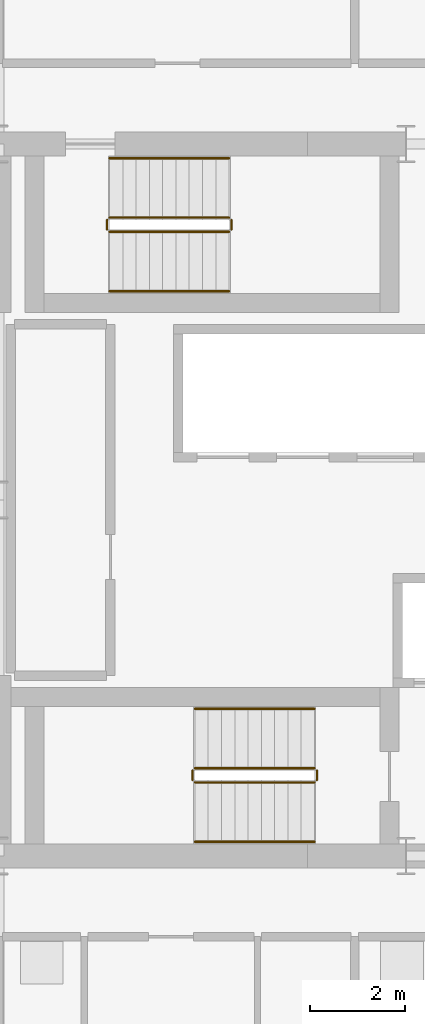
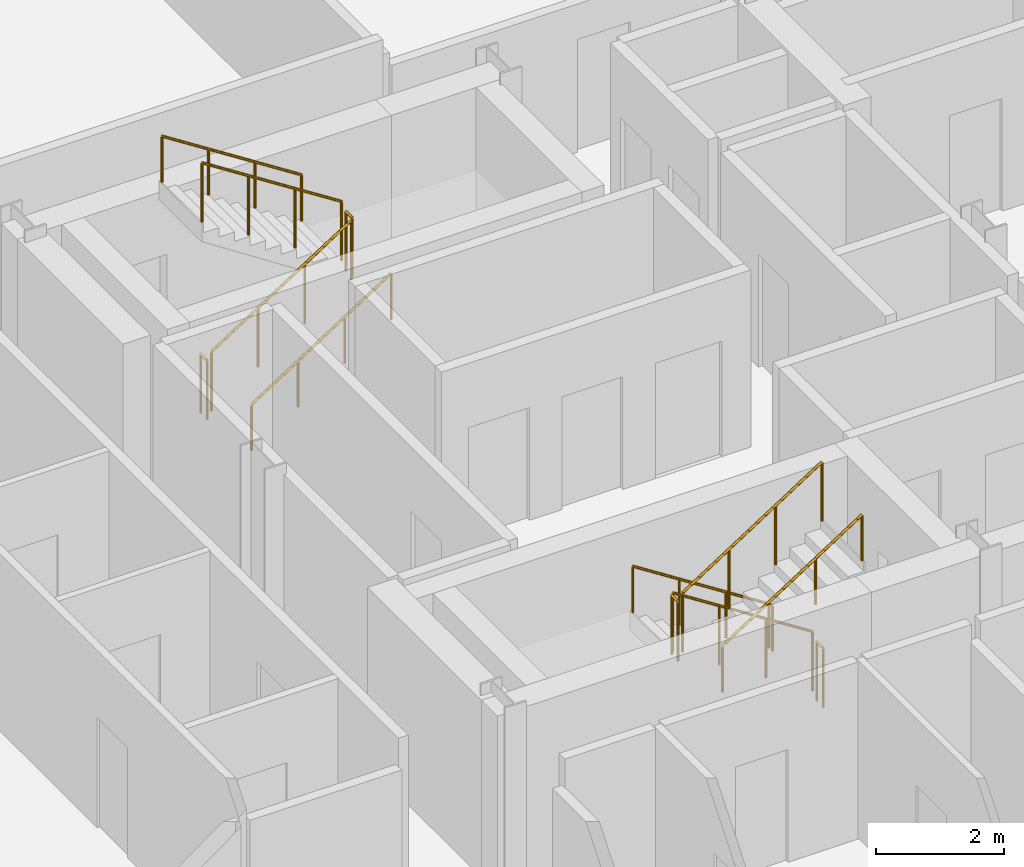
# One storey, part 20 of 21: 12 railings.
"""IFC4 building model written with IfcOpenShell, lengths in metres."""

from ifc_helpers import new_model, si_unit, direction, frame, origin, origin_2d, place, context, subcontext, project, spatial, circle, extrude, material, type_object, element, save


model = new_model("IFC4")

# Units and contexts
model_context = context("Model", 3, precision=1e-05, world=origin(), true_north=direction((0.0, 1.0)))
body_context = subcontext(model_context, "Body", "Model", "MODEL_VIEW")
ifc_project = project(units=[si_unit("LENGTHUNIT", "METRE"), si_unit("AREAUNIT", "SQUARE_METRE"), si_unit("VOLUMEUNIT", "CUBIC_METRE"), si_unit("PLANEANGLEUNIT", "RADIAN"), si_unit("MASSUNIT", "GRAM", prefix="KILO")], contexts=[model_context])

# Site, building, storey
site_placement = place(None, origin())
site = spatial("IfcSite", under=ifc_project, at=site_placement, CompositionType="ELEMENT")
building_placement = place(site_placement, origin())
building = spatial("IfcBuilding", under=site, at=building_placement, Name="Barlavira Tower and Art Museum", CompositionType="ELEMENT")
storey_placement = place(building_placement, frame((0.0, 0.0, 297.89990234375)))
storey = spatial("IfcBuildingStorey", under=building, at=storey_placement, Name="L78", CompositionType="ELEMENT", Elevation=297.89990234375)

# Railings
ifc_material = material(Name="Brushed stainless steel", Category="steel")
railing_type_1 = type_object("IfcRailingType", Name="Interior Void and Landing Guard Railing 1150", PredefinedType="GUARDRAIL", material=ifc_material)
railing_1_placement = place(storey_placement, frame((0.14990234375, -5.64990234375, 0.18017578125)))
element("IfcRailing", 1, at=railing_1_placement, inside=storey, type_object=railing_type_1, Name="L78 ST-T1 stair guard 1", PredefinedType="GUARDRAIL", context=body_context, shape_type="SweptSolid", body=[
    extrude(circle(Radius=0.02392578125, at=origin_2d()), frame((0.0, 0.0, 1.1259765625), z_axis=(-0.841199657755, 0.0, 0.540724639528), x_axis=(0.0, -1.0, 0.0)), (0.0, 0.0, 1.0), 2.995849609375),
    extrude(circle(Radius=0.02099609375, at=origin_2d()), origin(), (0.0, 0.0, 1.0), 1.101806640625),
    extrude(circle(Radius=0.02099609375, at=origin_2d()), frame((-0.840087890625, 0.0, 0.5400390625)), (0.0, 0.0, 1.0), 1.101806640625),
    extrude(circle(Radius=0.02099609375, at=origin_2d()), frame((-1.679931640625, 0.0, 1.079833984375)), (0.0, 0.0, 1.0), 1.101806640625),
    extrude(circle(Radius=0.02099609375, at=origin_2d()), frame((-2.52001953125, 0.0, 1.619873046875)), (0.0, 0.0, 1.0), 1.101806640625),
])
railing_2_placement = place(storey_placement, frame((-2.419921875, -5.699951171875, 1.800048828125)))
element("IfcRailing", 2, at=railing_2_placement, inside=storey, type_object=railing_type_1, Name="L78 ST-T1 stair guard 2", PredefinedType="GUARDRAIL", context=body_context, shape_type="SweptSolid", body=[
    extrude(circle(Radius=0.02392578125, at=origin_2d()), frame((0.0, 0.0, 1.1259765625), z_axis=(0.0, -1.0, 0.0), x_axis=(1.0, 0.0, 0.0)), (0.0, 0.0, 1.0), 0.199951171875),
    extrude(circle(Radius=0.02099609375, at=origin_2d()), origin(), (0.0, 0.0, 1.0), 1.101806640625),
    extrude(circle(Radius=0.02099609375, at=origin_2d()), frame((0.0, -0.199951171875, 0.0)), (0.0, 0.0, 1.0), 1.101806640625),
])
railing_3_placement = place(storey_placement, frame((-2.3701171875, -5.949951171875, 1.97998046875)))
element("IfcRailing", 3, at=railing_3_placement, inside=storey, type_object=railing_type_1, Name="L78 ST-T1 stair guard 3", PredefinedType="GUARDRAIL", context=body_context, shape_type="SweptSolid", body=[
    extrude(circle(Radius=0.02392578125, at=origin_2d()), frame((0.0, 0.0, 1.1259765625), z_axis=(0.841162588446, 0.0, 0.540782303519), x_axis=(0.0, 1.0, 0.0)), (0.0, 0.0, 1.0), 2.995849609375),
    extrude(circle(Radius=0.02099609375, at=origin_2d()), origin(), (0.0, 0.0, 1.0), 1.101806640625),
    extrude(circle(Radius=0.02099609375, at=origin_2d()), frame((0.840087890625, 0.0, 0.5400390625)), (0.0, 0.0, 1.0), 1.101806640625),
    extrude(circle(Radius=0.02099609375, at=origin_2d()), frame((1.679931640625, 0.0, 1.080078125)), (0.0, 0.0, 1.0), 1.101806640625),
    extrude(circle(Radius=0.02099609375, at=origin_2d()), frame((2.52001953125, 0.0, 1.6201171875)), (0.0, 0.0, 1.0), 1.101806640625),
])
railing_4_placement = place(storey_placement, frame((0.199951171875, -5.699951171875, 0.0)))
element("IfcRailing", 4, at=railing_4_placement, inside=storey, type_object=railing_type_1, Name="L78 ST-T1 stair guard 4", PredefinedType="GUARDRAIL", context=body_context, shape_type="SweptSolid", body=[
    extrude(circle(Radius=0.02392578125, at=origin_2d()), frame((0.0, 0.0, 1.1259765625), z_axis=(0.0, -1.0, 0.0), x_axis=(1.0, 0.0, 0.0)), (0.0, 0.0, 1.0), 0.199951171875),
    extrude(circle(Radius=0.02099609375, at=origin_2d()), origin(), (0.0, 0.0, 1.0), 1.101806640625),
    extrude(circle(Radius=0.02099609375, at=origin_2d()), frame((0.0, -0.199951171875, 0.0)), (0.0, 0.0, 1.0), 1.101806640625),
])
railing_5_placement = place(storey_placement, frame((-4.169921875, 5.64990234375, 0.18017578125)))
element("IfcRailing", 5, at=railing_5_placement, inside=storey, type_object=railing_type_1, Name="L78 ST-T2 stair guard 1", PredefinedType="GUARDRAIL", context=body_context, shape_type="SweptSolid", body=[
    extrude(circle(Radius=0.02392578125, at=origin_2d()), frame((0.0, 0.0, 1.1259765625), z_axis=(0.841199657755, 0.0, 0.540724639528), x_axis=(0.0, 1.0, 0.0)), (0.0, 0.0, 1.0), 2.995849609375),
    extrude(circle(Radius=0.02099609375, at=origin_2d()), origin(), (0.0, 0.0, 1.0), 1.101806640625),
    extrude(circle(Radius=0.02099609375, at=origin_2d()), frame((0.840087890625, 0.0, 0.5400390625)), (0.0, 0.0, 1.0), 1.101806640625),
    extrude(circle(Radius=0.02099609375, at=origin_2d()), frame((1.679931640625, 0.0, 1.079833984375)), (0.0, 0.0, 1.0), 1.101806640625),
    extrude(circle(Radius=0.02099609375, at=origin_2d()), frame((2.52001953125, 0.0, 1.619873046875)), (0.0, 0.0, 1.0), 1.101806640625),
])
railing_6_placement = place(storey_placement, frame((-1.60009765625, 5.699951171875, 1.800048828125)))
element("IfcRailing", 6, at=railing_6_placement, inside=storey, type_object=railing_type_1, Name="L78 ST-T2 stair guard 2", PredefinedType="GUARDRAIL", context=body_context, shape_type="SweptSolid", body=[
    extrude(circle(Radius=0.02392578125, at=origin_2d()), frame((0.0, 0.0, 1.1259765625), z_axis=(0.0, 1.0, 0.0), x_axis=(-1.0, 0.0, 0.0)), (0.0, 0.0, 1.0), 0.199951171875),
    extrude(circle(Radius=0.02099609375, at=origin_2d()), origin(), (0.0, 0.0, 1.0), 1.101806640625),
    extrude(circle(Radius=0.02099609375, at=origin_2d()), frame((0.0, 0.199951171875, 0.0)), (0.0, 0.0, 1.0), 1.101806640625),
])
railing_7_placement = place(storey_placement, frame((-1.64990234375, 5.949951171875, 1.97998046875)))
element("IfcRailing", 7, at=railing_7_placement, inside=storey, type_object=railing_type_1, Name="L78 ST-T2 stair guard 3", PredefinedType="GUARDRAIL", context=body_context, shape_type="SweptSolid", body=[
    extrude(circle(Radius=0.02392578125, at=origin_2d()), frame((0.0, 0.0, 1.1259765625), z_axis=(-0.841162588446, 0.0, 0.540782303519), x_axis=(0.0, -1.0, 0.0)), (0.0, 0.0, 1.0), 2.995849609375),
    extrude(circle(Radius=0.02099609375, at=origin_2d()), origin(), (0.0, 0.0, 1.0), 1.101806640625),
    extrude(circle(Radius=0.02099609375, at=origin_2d()), frame((-0.840087890625, 0.0, 0.5400390625)), (0.0, 0.0, 1.0), 1.101806640625),
    extrude(circle(Radius=0.02099609375, at=origin_2d()), frame((-1.679931640625, 0.0, 1.080078125)), (0.0, 0.0, 1.0), 1.101806640625),
    extrude(circle(Radius=0.02099609375, at=origin_2d()), frame((-2.52001953125, 0.0, 1.6201171875)), (0.0, 0.0, 1.0), 1.101806640625),
])
railing_8_placement = place(storey_placement, frame((-4.219970703125, 5.699951171875, 0.0)))
element("IfcRailing", 8, at=railing_8_placement, inside=storey, type_object=railing_type_1, Name="L78 ST-T2 stair guard 4", PredefinedType="GUARDRAIL", context=body_context, shape_type="SweptSolid", body=[
    extrude(circle(Radius=0.02392578125, at=origin_2d()), frame((0.0, 0.0, 1.1259765625), z_axis=(0.0, 1.0, 0.0), x_axis=(-1.0, 0.0, 0.0)), (0.0, 0.0, 1.0), 0.199951171875),
    extrude(circle(Radius=0.02099609375, at=origin_2d()), origin(), (0.0, 0.0, 1.0), 1.101806640625),
    extrude(circle(Radius=0.02099609375, at=origin_2d()), frame((0.0, 0.199951171875, 0.0)), (0.0, 0.0, 1.0), 1.101806640625),
])
railing_type_2 = type_object("IfcRailingType", Name="Stair Pitch Tubular Steel Handrail 920", PredefinedType="HANDRAIL", material=ifc_material)
railing_9_placement = place(storey_placement, frame((0.14990234375, -4.39990234375, 0.18017578125)))
element("IfcRailing", 9, at=railing_9_placement, inside=storey, type_object=railing_type_2, Name="L78 ST-T1 stair handrail 1", PredefinedType="HANDRAIL", context=body_context, shape_type="SweptSolid", body=[
    extrude(circle(Radius=0.02392578125, at=origin_2d()), frame((0.0, 0.0, 0.8759765625), z_axis=(-0.841199657755, 0.0, 0.540724639528), x_axis=(0.0, -1.0, 0.0)), (0.0, 0.0, 1.0), 2.995849609375),
    extrude(circle(Radius=0.02099609375, at=origin_2d()), origin(), (0.0, 0.0, 1.0), 0.851806640625),
    extrude(circle(Radius=0.02099609375, at=origin_2d()), frame((-0.840087890625, 0.0, 0.5400390625)), (0.0, 0.0, 1.0), 0.851806640625),
    extrude(circle(Radius=0.02099609375, at=origin_2d()), frame((-1.679931640625, 0.0, 1.079833984375)), (0.0, 0.0, 1.0), 0.851806640625),
    extrude(circle(Radius=0.02099609375, at=origin_2d()), frame((-2.52001953125, 0.0, 1.619873046875)), (0.0, 0.0, 1.0), 0.851806640625),
])
railing_10_placement = place(storey_placement, frame((-2.3701171875, -7.199951171875, 1.97998046875)))
element("IfcRailing", 10, at=railing_10_placement, inside=storey, type_object=railing_type_2, Name="L78 ST-T1 stair handrail 2", PredefinedType="HANDRAIL", context=body_context, shape_type="SweptSolid", body=[
    extrude(circle(Radius=0.02392578125, at=origin_2d()), frame((0.0, 0.0, 0.8759765625), z_axis=(0.841162588446, 0.0, 0.540782303519), x_axis=(0.0, 1.0, 0.0)), (0.0, 0.0, 1.0), 2.995849609375),
    extrude(circle(Radius=0.02099609375, at=origin_2d()), origin(), (0.0, 0.0, 1.0), 0.851806640625),
    extrude(circle(Radius=0.02099609375, at=origin_2d()), frame((0.840087890625, 0.0, 0.5400390625)), (0.0, 0.0, 1.0), 0.851806640625),
    extrude(circle(Radius=0.02099609375, at=origin_2d()), frame((1.679931640625, 0.0, 1.080078125)), (0.0, 0.0, 1.0), 0.851806640625),
    extrude(circle(Radius=0.02099609375, at=origin_2d()), frame((2.52001953125, 0.0, 1.6201171875)), (0.0, 0.0, 1.0), 0.851806640625),
])
railing_11_placement = place(storey_placement, frame((-4.169921875, 4.39990234375, 0.18017578125)))
element("IfcRailing", 11, at=railing_11_placement, inside=storey, type_object=railing_type_2, Name="L78 ST-T2 stair handrail 1", PredefinedType="HANDRAIL", context=body_context, shape_type="SweptSolid", body=[
    extrude(circle(Radius=0.02392578125, at=origin_2d()), frame((0.0, 0.0, 0.8759765625), z_axis=(0.841199657755, 0.0, 0.540724639528), x_axis=(0.0, 1.0, 0.0)), (0.0, 0.0, 1.0), 2.995849609375),
    extrude(circle(Radius=0.02099609375, at=origin_2d()), origin(), (0.0, 0.0, 1.0), 0.851806640625),
    extrude(circle(Radius=0.02099609375, at=origin_2d()), frame((0.840087890625, 0.0, 0.5400390625)), (0.0, 0.0, 1.0), 0.851806640625),
    extrude(circle(Radius=0.02099609375, at=origin_2d()), frame((1.679931640625, 0.0, 1.079833984375)), (0.0, 0.0, 1.0), 0.851806640625),
    extrude(circle(Radius=0.02099609375, at=origin_2d()), frame((2.52001953125, 0.0, 1.619873046875)), (0.0, 0.0, 1.0), 0.851806640625),
])
railing_12_placement = place(storey_placement, frame((-1.64990234375, 7.199951171875, 1.97998046875)))
element("IfcRailing", 12, at=railing_12_placement, inside=storey, type_object=railing_type_2, Name="L78 ST-T2 stair handrail 2", PredefinedType="HANDRAIL", context=body_context, shape_type="SweptSolid", body=[
    extrude(circle(Radius=0.02392578125, at=origin_2d()), frame((0.0, 0.0, 0.8759765625), z_axis=(-0.841162588446, 0.0, 0.540782303519), x_axis=(0.0, -1.0, 0.0)), (0.0, 0.0, 1.0), 2.995849609375),
    extrude(circle(Radius=0.02099609375, at=origin_2d()), origin(), (0.0, 0.0, 1.0), 0.851806640625),
    extrude(circle(Radius=0.02099609375, at=origin_2d()), frame((-0.840087890625, 0.0, 0.5400390625)), (0.0, 0.0, 1.0), 0.851806640625),
    extrude(circle(Radius=0.02099609375, at=origin_2d()), frame((-1.679931640625, 0.0, 1.080078125)), (0.0, 0.0, 1.0), 0.851806640625),
    extrude(circle(Radius=0.02099609375, at=origin_2d()), frame((-2.52001953125, 0.0, 1.6201171875)), (0.0, 0.0, 1.0), 0.851806640625),
])

save(model, "model.ifc")
